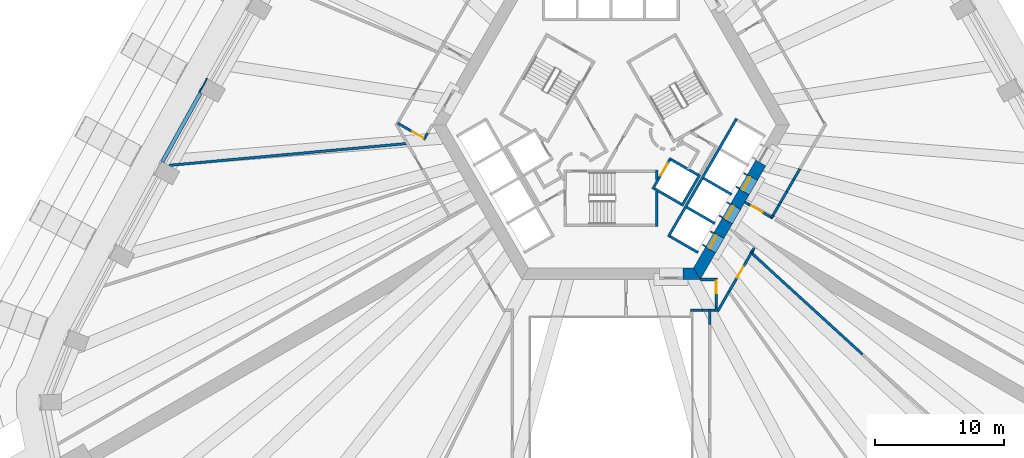
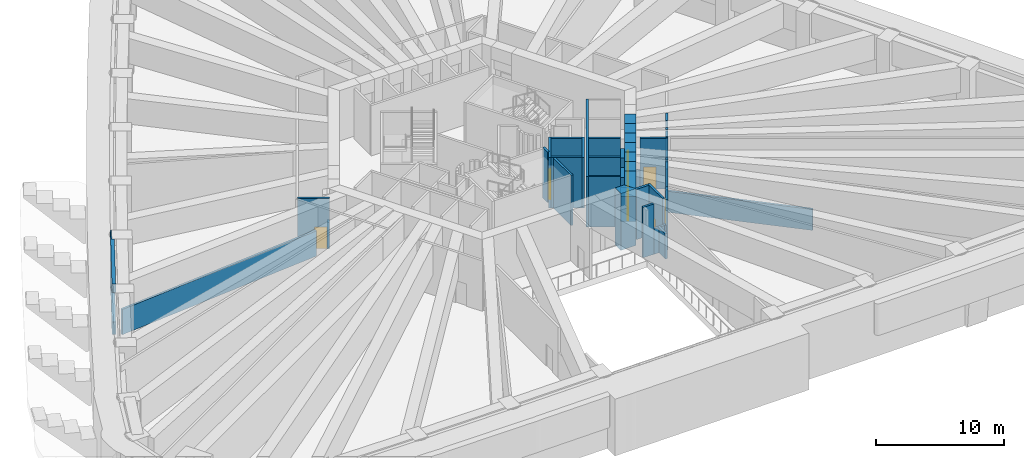
# One storey, part 6 of 21: 47 walls, 8 doors, 8 openings.
"""IFC4 building model written with IfcOpenShell, lengths in metres."""

from ifc_helpers import new_model, si_unit, direction, frame, frame_2d, origin, place, context, subcontext, project, spatial, polyline, rectangle, outline, extrude, material, layer, layer_set, type_object, element, fill, save


model = new_model("IFC4")

# Units and contexts
model_context = context("Model", 3, precision=1e-05, world=origin(), true_north=direction((0.0, 1.0)))
body_context = subcontext(model_context, "Body", "Model", "MODEL_VIEW")
ifc_project = project(units=[si_unit("LENGTHUNIT", "METRE"), si_unit("AREAUNIT", "SQUARE_METRE"), si_unit("VOLUMEUNIT", "CUBIC_METRE"), si_unit("PLANEANGLEUNIT", "RADIAN"), si_unit("MASSUNIT", "GRAM", prefix="KILO")], contexts=[model_context])

# Site, building, storey
site_placement = place(None, origin())
site = spatial("IfcSite", under=ifc_project, at=site_placement, CompositionType="ELEMENT")
building_placement = place(site_placement, origin())
building = spatial("IfcBuilding", under=site, at=building_placement, Name="Entoto Arch Interchange Tower", CompositionType="ELEMENT")
storey_placement = place(building_placement, frame((0.0, 0.0, 81.199951171875)))
storey = spatial("IfcBuildingStorey", under=building, at=storey_placement, Name="L17", CompositionType="ELEMENT", Elevation=81.199951171875)

# Walls
ifc_material_1 = material(Name="Concrete C60/75", Category="concrete")
ifc_layer_1 = layer(ifc_material_1, 0.89990234375)
ifc_layer_set_1 = layer_set([ifc_layer_1], Name="Concrete C60/75")
wall_type_1 = type_object("IfcWallType", Name="Core wall 900 C60/75", PredefinedType="SHEAR", material=ifc_layer_set_1)
wall_1_placement = place(storey_placement, frame((0.0, 0.0, -0.599853515625)))
element("IfcWall", 1, at=wall_1_placement, inside=storey, type_object=wall_type_1, Name="Core wall S L17", PredefinedType="SHEAR", context=body_context, shape_type="SweptSolid", body=[
    extrude(outline(polyline([(5.580078125, -8.60009765625), (5.580078125, -9.5), (6.927978515625, -9.5), (6.408935546875, -8.60009765625), (5.580078125, -8.60009765625)])), origin(), (0.0, 0.0, 1.0), 5.39990234375),
])
wall_2_placement = place(storey_placement, frame((0.0, 0.0, -0.599853515625)))
element("IfcWall", 2, at=wall_2_placement, inside=storey, type_object=wall_type_1, Name="Core wall SE L17", PredefinedType="SHEAR", context=body_context, shape_type="SweptSolid", body=[
    extrude(outline(polyline([(8.116943359375, -7.43994140625), (7.337890625, -6.989990234375), (6.408935546875, -8.60009765625), (6.927978515625, -9.5), (8.116943359375, -7.43994140625)])), origin(), (0.0, 0.0, 1.0), 5.39990234375),
])
wall_3_placement = place(storey_placement, frame((0.0, 0.0, -0.599853515625)))
element("IfcWall", 3, at=wall_3_placement, inside=storey, type_object=wall_type_1, Name="Core wall SE L17", PredefinedType="SHEAR", context=body_context, shape_type="SweptSolid", body=[
    extrude(outline(polyline([(9.4169921875, -5.18896484375), (8.637939453125, -4.739013671875), (7.988037109375, -5.864013671875), (8.76708984375, -6.31396484375), (9.4169921875, -5.18896484375)])), origin(), (0.0, 0.0, 1.0), 5.39990234375),
])
wall_4_placement = place(storey_placement, frame((0.0, 0.0, -0.599853515625)))
element("IfcWall", 4, at=wall_4_placement, inside=storey, type_object=wall_type_1, Name="Core wall SE L17", PredefinedType="SHEAR", context=body_context, shape_type="SweptSolid", body=[
    extrude(outline(polyline([(10.717041015625, -2.93701171875), (9.93798828125, -2.487060546875), (9.2880859375, -3.613037109375), (10.06689453125, -4.06298828125), (10.717041015625, -2.93701171875)])), origin(), (0.0, 0.0, 1.0), 5.39990234375),
])
wall_5_placement = place(storey_placement, frame((0.0, 0.0, -0.599853515625)))
element("IfcWall", 5, at=wall_5_placement, inside=storey, type_object=wall_type_1, Name="Core wall SE L17", PredefinedType="SHEAR", context=body_context, shape_type="SweptSolid", body=[
    extrude(outline(polyline([(12.01708984375, -0.68603515625), (11.238037109375, -0.236083984375), (10.587890625, -1.361083984375), (11.366943359375, -1.81103515625), (12.01708984375, -0.68603515625)])), origin(), (0.0, 0.0, 1.0), 5.39990234375),
])
wall_6_placement = place(storey_placement, frame((0.0, 0.0, 3.60009765625)))
element("IfcWall", 6, at=wall_6_placement, inside=storey, type_object=wall_type_1, Name="Core wall lintel SE L17", PredefinedType="SHEAR", context=body_context, shape_type="SweptSolid", body=[
    extrude(outline(polyline([(8.76708984375, -6.31396484375), (7.988037109375, -5.864013671875), (7.337890625, -6.989990234375), (8.116943359375, -7.43994140625), (8.76708984375, -6.31396484375)])), origin(), (0.0, 0.0, 1.0), 1.199951171875),
])
wall_7_placement = place(storey_placement, frame((0.0, 0.0, 3.60009765625)))
element("IfcWall", 7, at=wall_7_placement, inside=storey, type_object=wall_type_1, Name="Core wall lintel SE L17", PredefinedType="SHEAR", context=body_context, shape_type="SweptSolid", body=[
    extrude(outline(polyline([(10.06689453125, -4.06298828125), (9.2880859375, -3.613037109375), (8.637939453125, -4.739013671875), (9.4169921875, -5.18896484375), (10.06689453125, -4.06298828125)])), origin(), (0.0, 0.0, 1.0), 1.199951171875),
])
wall_8_placement = place(storey_placement, frame((0.0, 0.0, 3.60009765625)))
element("IfcWall", 8, at=wall_8_placement, inside=storey, type_object=wall_type_1, Name="Core wall lintel SE L17", PredefinedType="SHEAR", context=body_context, shape_type="SweptSolid", body=[
    extrude(outline(polyline([(11.366943359375, -1.81103515625), (10.587890625, -1.361083984375), (9.93798828125, -2.487060546875), (10.717041015625, -2.93701171875), (11.366943359375, -1.81103515625)])), origin(), (0.0, 0.0, 1.0), 1.199951171875),
])

# Wall, opening, door
ifc_material_2 = material(Name="Concrete C40/50", Category="concrete")
ifc_layer_2 = layer(ifc_material_2, 1.199951171875)
ifc_layer_set_2 = layer_set([ifc_layer_2], Name="Concrete C40/50")
wall_type_2 = type_object("IfcWallType", Name="LIFT LANDING INFILL WALL", PredefinedType="STANDARD", material=ifc_layer_set_2)
wall_9_placement = place(storey_placement, frame((7.597900390625, -7.139892578125, 0.0), z_axis=(0.0, 0.0, 1.0), x_axis=(0.500362116554, 0.865816234728, 0.0)))
wall_9 = element("IfcWall", 9, at=wall_9_placement, inside=storey, type_object=wall_type_2, Name="Lift landing infill wall LR5 L17", PredefinedType="STANDARD", context=body_context, shape_type="SweptSolid", body=[
    extrude(rectangle(XDim=1.29931640625, YDim=1.199951171875, at=frame_2d((0.649658203125, 0.0))), origin(), (0.0, 0.0, 1.0), 2.400146484375),
])
opening_1_placement = place(wall_9_placement, frame((0.10009765625, 0.0, 0.0)))
opening_1 = element("IfcOpeningElement", 10, at=opening_1_placement, cuts=wall_9, Name="Opening LD-LR5-L17", PredefinedType="OPENING", context=body_context, shape_type="SweptSolid", body=[
    extrude(rectangle(XDim=1.10009765625, YDim=2.300048828125, at=frame_2d((0.550048828125, 1.14990234375))), frame((0.0, 0.60986328125, 0.0), z_axis=(0.0, -1.0, 0.0), x_axis=(1.0, 0.0, 0.0)), (0.0, 0.0, 1.0), 1.219970703125),
])
ifc_material_3 = material(Name="Stainless steel 1.4301 panels", Category="steel")
door_type_1 = type_object("IfcDoorType", Name="LIFT LANDING DOOR LD2 1100x2300", OperationType="SLIDING_TO_LEFT", PredefinedType="DOOR", material=ifc_material_3)
door_1_placement = place(opening_1_placement, origin())
door_1 = element("IfcDoor", 11, at=door_1_placement, inside=storey, type_object=door_type_1, Name="Lift landing door LR5 L17", OperationType="SLIDING_TO_LEFT", OverallHeight=2.300048828125, OverallWidth=1.10009765625, PredefinedType="DOOR", context=body_context, shape_type="SweptSolid", body=[
    extrude(rectangle(XDim=1.10009765625, YDim=2.300048828125, at=frame_2d((0.550048828125, 1.14990234375))), frame((0.0, 0.02490234375, 0.0), z_axis=(0.0, -1.0, 0.0), x_axis=(1.0, 0.0, 0.0)), (0.0, 0.0, 1.0), 0.050048828125),
])
fill(opening_1, door_1)

wall_10_placement = place(storey_placement, frame((8.89794921875, -4.888916015625, 0.0), z_axis=(0.0, 0.0, 1.0), x_axis=(0.500036693733, 0.866004217611, 0.0)))
wall_10 = element("IfcWall", 12, at=wall_10_placement, inside=storey, type_object=wall_type_2, Name="Lift landing infill wall LR6 L17", PredefinedType="STANDARD", context=body_context, shape_type="SweptSolid", body=[
    extrude(rectangle(XDim=1.30029296875, YDim=1.199951171875, at=frame_2d((0.650146484375, 0.0))), origin(), (0.0, 0.0, 1.0), 2.400146484375),
])
opening_2_placement = place(wall_10_placement, frame((0.10009765625, 0.0, 0.0)))
opening_2 = element("IfcOpeningElement", 13, at=opening_2_placement, cuts=wall_10, Name="Opening LD-LR6-L17", PredefinedType="OPENING", context=body_context, shape_type="SweptSolid", body=[
    extrude(rectangle(XDim=1.10009765625, YDim=2.300048828125, at=frame_2d((0.550048828125, 1.14990234375))), frame((0.0, 0.60986328125, 0.0), z_axis=(0.0, -1.0, 0.0), x_axis=(1.0, 0.0, 0.0)), (0.0, 0.0, 1.0), 1.219970703125),
])
door_2_placement = place(opening_2_placement, origin())
door_2 = element("IfcDoor", 14, at=door_2_placement, inside=storey, type_object=door_type_1, Name="Lift landing door LR6 L17", OperationType="SLIDING_TO_LEFT", OverallHeight=2.300048828125, OverallWidth=1.10009765625, PredefinedType="DOOR", context=body_context, shape_type="SweptSolid", body=[
    extrude(rectangle(XDim=1.10009765625, YDim=2.300048828125, at=frame_2d((0.550048828125, 1.14990234375))), frame((0.0, 0.02490234375, 0.0), z_axis=(0.0, -1.0, 0.0), x_axis=(1.0, 0.0, 0.0)), (0.0, 0.0, 1.0), 0.050048828125),
])
fill(opening_2, door_2)

wall_11_placement = place(storey_placement, frame((10.197998046875, -2.636962890625, 0.0), z_axis=(0.0, 0.0, 1.0), x_axis=(0.49989585183, 0.866085525409, 0.0)))
wall_11 = element("IfcWall", 15, at=wall_11_placement, inside=storey, type_object=wall_type_2, Name="Lift landing infill wall LR7 L17", PredefinedType="STANDARD", context=body_context, shape_type="SweptSolid", body=[
    extrude(rectangle(XDim=1.300048828125, YDim=1.199951171875, at=frame_2d((0.64990234375, 0.0))), origin(), (0.0, 0.0, 1.0), 2.400146484375),
])
opening_3_placement = place(wall_11_placement, frame((0.10009765625, 0.0, 0.0)))
opening_3 = element("IfcOpeningElement", 16, at=opening_3_placement, cuts=wall_11, Name="Opening LD-LR7-L17", PredefinedType="OPENING", context=body_context, shape_type="SweptSolid", body=[
    extrude(rectangle(XDim=1.10009765625, YDim=2.300048828125, at=frame_2d((0.550048828125, 1.14990234375))), frame((0.0, 0.60986328125, 0.0), z_axis=(0.0, -1.0, 0.0), x_axis=(1.0, 0.0, 0.0)), (0.0, 0.0, 1.0), 1.219970703125),
])
door_3_placement = place(opening_3_placement, origin())
door_3 = element("IfcDoor", 17, at=door_3_placement, inside=storey, type_object=door_type_1, Name="Lift landing door LR7 L17", OperationType="SLIDING_TO_LEFT", OverallHeight=2.300048828125, OverallWidth=1.10009765625, PredefinedType="DOOR", context=body_context, shape_type="SweptSolid", body=[
    extrude(rectangle(XDim=1.10009765625, YDim=2.300048828125, at=frame_2d((0.550048828125, 1.14990234375))), frame((0.0, 0.02490234375, 0.0), z_axis=(0.0, -1.0, 0.0), x_axis=(1.0, 0.0, 0.0)), (0.0, 0.0, 1.0), 0.050048828125),
])
fill(opening_3, door_3)

ifc_layer_3 = layer(ifc_material_2, 0.199951171875)
ifc_layer_set_3 = layer_set([ifc_layer_3], Name="Concrete C40/50")
wall_type_3 = type_object("IfcWallType", Name="LIFT SHAFT WALL 200", PredefinedType="STANDARD", material=ifc_layer_set_3)
wall_12_placement = place(storey_placement, frame((3.239990234375, -2.488037109375, 0.0), z_axis=(0.0, 0.0, 1.0), x_axis=(0.49994636267, 0.866056369097, 0.0)))
wall_12 = element("IfcWall", 18, at=wall_12_placement, inside=storey, type_object=wall_type_3, Name="Shaft wall SE1 front", PredefinedType="STANDARD", context=body_context, shape_type="SweptSolid", body=[
    extrude(rectangle(XDim=2.800048828125, YDim=0.199951171875, at=frame_2d((1.39990234375, 0.0))), origin(), (0.0, 0.0, 1.0), 4.800048828125),
])
opening_4_placement = place(wall_12_placement, frame((1.22509765625, 0.0, 0.0)))
opening_4 = element("IfcOpeningElement", 19, at=opening_4_placement, cuts=wall_12, Name="Opening LD-FF1-L17", PredefinedType="OPENING", context=body_context, shape_type="SweptSolid", body=[
    extrude(rectangle(XDim=1.10009765625, YDim=2.10009765625, at=frame_2d((0.550048828125, 1.050048828125))), frame((0.0, 0.10986328125, 0.0), z_axis=(0.0, -1.0, 0.0), x_axis=(1.0, 0.0, 0.0)), (0.0, 0.0, 1.0), 0.219970703125),
])
door_type_2 = type_object("IfcDoorType", Name="LIFT LANDING DOOR LD1 1100x2100", OperationType="SLIDING_TO_LEFT", PredefinedType="DOOR", material=ifc_material_3)
door_4_placement = place(opening_4_placement, origin())
door_4 = element("IfcDoor", 20, at=door_4_placement, inside=storey, type_object=door_type_2, Name="Lift landing door FF1 L17", OperationType="SLIDING_TO_LEFT", OverallHeight=2.10009765625, OverallWidth=1.10009765625, PredefinedType="DOOR", context=body_context, shape_type="SweptSolid", body=[
    extrude(rectangle(XDim=1.10009765625, YDim=2.10009765625, at=frame_2d((0.550048828125, 1.050048828125))), frame((0.0, 0.02490234375, 0.0), z_axis=(0.0, -1.0, 0.0), x_axis=(1.0, 0.0, 0.0)), (0.0, 0.0, 1.0), 0.050048828125),
])
fill(opening_4, door_4)

# Walls
wall_13_placement = place(storey_placement, frame((5.491943359375, -3.7880859375, 0.0), z_axis=(0.0, 0.0, 1.0), x_axis=(0.500011755427, 0.866018616679, 0.0)))
element("IfcWall", 21, at=wall_13_placement, inside=storey, type_object=wall_type_3, Name="Shaft wall SE1 back", PredefinedType="STANDARD", context=body_context, shape_type="SweptSolid", body=[
    extrude(rectangle(XDim=2.80029296875, YDim=0.199951171875, at=frame_2d((1.400146484375, 0.0))), origin(), (0.0, 0.0, 1.0), 4.800048828125),
])
wall_14_placement = place(storey_placement, frame((3.376953125, -2.451904296875, 0.0), z_axis=(0.0, 0.0, 1.0), x_axis=(0.865955154139, -0.50012165622, 0.0)))
element("IfcWall", 22, at=wall_14_placement, inside=storey, type_object=wall_type_3, Name="Shaft wall SE1 cross 1", PredefinedType="STANDARD", context=body_context, shape_type="SweptSolid", body=[
    extrude(rectangle(XDim=2.39990234375, YDim=0.199951171875, at=frame_2d((1.199951171875, 0.0))), origin(), (0.0, 0.0, 1.0), 4.800048828125),
])
wall_15_placement = place(storey_placement, frame((4.677001953125, -0.199951171875, 0.0), z_axis=(0.0, 0.0, 1.0), x_axis=(0.865973769406, -0.500089422704, 0.0)))
element("IfcWall", 23, at=wall_15_placement, inside=storey, type_object=wall_type_3, Name="Shaft wall SE1 cross 2", PredefinedType="STANDARD", context=body_context, shape_type="SweptSolid", body=[
    extrude(rectangle(XDim=2.3994140625, YDim=0.199951171875, at=frame_2d((1.19970703125, 0.0))), origin(), (0.0, 0.0, 1.0), 4.800048828125),
])
wall_16_placement = place(storey_placement, frame((4.450927734375, -6.18994140625, 0.0), z_axis=(0.0, 0.0, 1.0), x_axis=(0.50000090737, 0.866024879913, 0.0)))
element("IfcWall", 24, at=wall_16_placement, inside=storey, type_object=wall_type_3, Name="Shaft wall SE3 front", PredefinedType="STANDARD", context=body_context, shape_type="SweptSolid", body=[
    extrude(rectangle(XDim=10.60009765625, YDim=0.199951171875, at=frame_2d((5.300048828125, 0.0))), origin(), (0.0, 0.0, 1.0), 4.800048828125),
])
for number, where, z_axis, x_axis, name in (
    (25, (4.587890625, -6.153076171875, 0.0), (0.0, 0.0, 1.0), (0.866022959057, -0.500004234368, 0.0), "Shaft wall SE3 cross 1"),
    (26, (5.887939453125, -3.902099609375, 0.0), (0.0, 0.0, 1.0), (0.866022959057, -0.500004234368, 0.0), "Shaft wall SE3 cross 2"),
    (27, (7.18798828125, -1.64990234375, 0.0), (0.0, 0.0, 1.0), (0.866022959057, -0.500004234368, 0.0), "Shaft wall SE3 cross 3"),
):
    element("IfcWall", number, at=place(storey_placement, frame(where, z_axis=z_axis, x_axis=x_axis)), inside=storey, type_object=wall_type_3, Name=name, PredefinedType="STANDARD", context=body_context, shape_type="SweptSolid", body=[
        extrude(rectangle(XDim=2.5, YDim=0.199951171875, at=frame_2d((1.25, 0.0))), origin(), (0.0, 0.0, 1.0), 4.800048828125),
    ])
ifc_material_4 = material(Name="Gypsum board partition on steel studs", Category="steel")
ifc_layer_4 = layer(ifc_material_4, 0.199951171875)
ifc_layer_set_4 = layer_set([ifc_layer_4], Name="Gypsum board partition on steel studs")
wall_type_4 = type_object("IfcWallType", Name="PARTITION 200", PredefinedType="PARTITIONING", material=ifc_layer_set_4)
wall_17_placement = place(storey_placement, frame((7.550048828125, -11.89990234375, 0.0), z_axis=(0.0, 0.0, 1.0), x_axis=(-1.0, 0.0, 0.0)))
element("IfcWall", 28, at=wall_17_placement, inside=storey, type_object=wall_type_4, Name="wall:L17:p029", PredefinedType="PARTITIONING", context=body_context, shape_type="SweptSolid", body=[
    extrude(rectangle(XDim=0.43994140625, YDim=0.199951171875, at=frame_2d((0.219970703125, 0.0))), origin(), (0.0, 0.0, 1.0), 2.400146484375),
])
wall_18_placement = place(storey_placement, frame((6.927978515625, -9.5, 0.0), z_axis=(0.0, 0.0, 1.0), x_axis=(1.0, 0.0, 0.0)))
element("IfcWall", 29, at=wall_18_placement, inside=storey, type_object=wall_type_4, Name="wall:L17:p031", PredefinedType="PARTITIONING", context=body_context, shape_type="SweptSolid", body=[
    extrude(rectangle(XDim=1.136962890625, YDim=0.199951171875, at=frame_2d((0.568359375, 0.0))), origin(), (0.0, 0.0, 1.0), 4.800048828125),
])

# Wall, opening, door
wall_19_placement = place(storey_placement, frame((8.1650390625, -9.39990234375, 0.0), z_axis=(0.0, 0.0, 1.0), x_axis=(0.0, -1.0, 0.0)))
wall_19 = element("IfcWall", 30, at=wall_19_placement, inside=storey, type_object=wall_type_4, Name="wall:L17:p032", PredefinedType="PARTITIONING", context=body_context, shape_type="SweptSolid", body=[
    extrude(rectangle(XDim=2.278076171875, YDim=0.199951171875, at=frame_2d((1.13916015625, 0.0))), origin(), (0.0, 0.0, 1.0), 4.800048828125),
])
opening_5_placement = place(wall_19_placement, frame((0.18408203125, 0.0, 0.0)))
opening_5 = element("IfcOpeningElement", 31, at=opening_5_placement, cuts=wall_19, Name="Opening L17-D02", PredefinedType="OPENING", context=body_context, shape_type="SweptSolid", body=[
    extrude(rectangle(XDim=1.0, YDim=2.10009765625, at=frame_2d((0.5, 1.050048828125))), frame((0.0, 0.10986328125, 0.0), z_axis=(0.0, -1.0, 0.0), x_axis=(1.0, 0.0, 0.0)), (0.0, 0.0, 1.0), 0.219970703125),
])
ifc_material_5 = material(Name="Fire-rated Steel S235 door and frame", Category="steel")
door_type_3 = type_object("IfcDoorType", Name="DOOR FD-10 1000x2100", OperationType="SINGLE_SWING_LEFT", PredefinedType="DOOR", material=ifc_material_5)
door_5_placement = place(opening_5_placement, origin())
door_5 = element("IfcDoor", 32, at=door_5_placement, inside=storey, type_object=door_type_3, Name="door:L17:02", OperationType="SINGLE_SWING_RIGHT", OverallHeight=2.10009765625, OverallWidth=1.0, PredefinedType="DOOR", context=body_context, shape_type="SweptSolid", body=[
    extrude(rectangle(XDim=1.0, YDim=2.10009765625, at=frame_2d((0.5, 1.050048828125))), frame((0.0, 0.02490234375, 0.0), z_axis=(0.0, -1.0, 0.0), x_axis=(1.0, 0.0, 0.0)), (0.0, 0.0, 1.0), 0.050048828125),
])
fill(opening_5, door_5)

# Walls
wall_20_placement = place(storey_placement, frame((8.06494140625, -11.89990234375, 0.0), z_axis=(0.0, 0.0, 1.0), x_axis=(-1.0, 0.0, 0.0)))
element("IfcWall", 33, at=wall_20_placement, inside=storey, type_object=wall_type_4, Name="wall:L17:p033", PredefinedType="PARTITIONING", context=body_context, shape_type="SweptSolid", body=[
    extrude(rectangle(XDim=0.31494140625, YDim=0.199951171875, at=frame_2d((0.157470703125, 0.0))), origin(), (0.0, 0.0, 1.0), 2.400146484375),
])
wall_21_placement = place(storey_placement, frame((7.64990234375, -11.800048828125, 0.0), z_axis=(0.0, 0.0, 1.0), x_axis=(0.0, -1.0, 0.0)))
element("IfcWall", 34, at=wall_21_placement, inside=storey, type_object=wall_type_4, Name="wall:L17:p034", PredefinedType="PARTITIONING", context=body_context, shape_type="SweptSolid", body=[
    extrude(rectangle(XDim=1.200927734375, YDim=0.199951171875, at=frame_2d((0.6005859375, 0.0))), origin(), (0.0, 0.0, 1.0), 2.400146484375),
])
wall_22_placement = place(storey_placement, frame((9.14990234375, -10.450927734375, 0.0), z_axis=(0.0, 0.0, 1.0), x_axis=(-0.499619156193, -0.866245172434, 0.0)))
element("IfcWall", 35, at=wall_22_placement, inside=storey, type_object=wall_type_4, Name="wall:L17:p039", PredefinedType="PARTITIONING", context=body_context, shape_type="SweptSolid", body=[
    extrude(rectangle(XDim=1.7734375, YDim=0.199951171875, at=frame_2d((0.88671875, 0.0))), origin(), (0.0, 0.0, 1.0), 4.800048828125),
])

# Wall, opening, door
wall_23_placement = place(storey_placement, frame((10.889892578125, -7.43701171875, 0.0), z_axis=(0.0, 0.0, 1.0), x_axis=(-0.499979528911, -0.866037222451, 0.0)))
wall_23 = element("IfcWall", 36, at=wall_23_placement, inside=storey, type_object=wall_type_4, Name="wall:L17:p040", PredefinedType="PARTITIONING", context=body_context, shape_type="SweptSolid", body=[
    extrude(rectangle(XDim=3.480224609375, YDim=0.199951171875, at=frame_2d((1.740234375, 0.0))), origin(), (0.0, 0.0, 1.0), 4.800048828125),
])
opening_6_placement = place(wall_23_placement, frame((1.201904296875, 0.0, 0.0)))
opening_6 = element("IfcOpeningElement", 37, at=opening_6_placement, cuts=wall_23, Name="Opening L17-D05", PredefinedType="OPENING", context=body_context, shape_type="SweptSolid", body=[
    extrude(rectangle(XDim=1.0, YDim=2.10009765625, at=frame_2d((0.5, 1.050048828125))), frame((0.0, 0.10986328125, 0.0), z_axis=(0.0, -1.0, 0.0), x_axis=(1.0, 0.0, 0.0)), (0.0, 0.0, 1.0), 0.219970703125),
])
door_6_placement = place(opening_6_placement, origin())
door_6 = element("IfcDoor", 38, at=door_6_placement, inside=storey, type_object=door_type_3, Name="door:L17:05", OperationType="SINGLE_SWING_LEFT", OverallHeight=2.10009765625, OverallWidth=1.0, PredefinedType="DOOR", context=body_context, shape_type="SweptSolid", body=[
    extrude(rectangle(XDim=1.0, YDim=2.10009765625, at=frame_2d((0.5, 1.050048828125))), frame((0.0, 0.02490234375, 0.0), z_axis=(0.0, -1.0, 0.0), x_axis=(1.0, 0.0, 0.0)), (0.0, 0.0, 1.0), 0.050048828125),
])
fill(opening_6, door_6)

# Walls
wall_24_placement = place(storey_placement, frame((11.113037109375, -7.051025390625, 0.0), z_axis=(0.0, 0.0, 1.0), x_axis=(-0.500262741071, -0.865873657005, 0.0)))
element("IfcWall", 39, at=wall_24_placement, inside=storey, type_object=wall_type_4, Name="wall:L17:p041", PredefinedType="PARTITIONING", context=body_context, shape_type="SweptSolid", body=[
    extrude(rectangle(XDim=0.273681640625, YDim=0.199951171875, at=frame_2d((0.13671875, 0.0))), origin(), (0.0, 0.0, 1.0), 4.800048828125),
])
wall_25_placement = place(storey_placement, frame((10.81591796875, -7.3701171875, 0.0), z_axis=(0.0, 0.0, 1.0), x_axis=(0.738759145077, -0.673969528662, 0.0)))
element("IfcWall", 40, at=wall_25_placement, inside=storey, type_object=wall_type_4, Name="wall:L17:p046", PredefinedType="PARTITIONING", context=body_context, shape_type="SweptSolid", body=[
    extrude(rectangle(XDim=11.779296875, YDim=0.199951171875, at=frame_2d((5.8896484375, 0.0))), origin(), (0.0, 0.0, 1.0), 2.0),
])
wall_26_placement = place(storey_placement, frame((10.39208984375, -3.5, 0.0), z_axis=(0.0, 0.0, 1.0), x_axis=(0.865244904171, -0.501349434832, 0.0)))
element("IfcWall", 41, at=wall_26_placement, inside=storey, type_object=wall_type_4, Name="wall:L17:p047", PredefinedType="PARTITIONING", context=body_context, shape_type="SweptSolid", body=[
    extrude(rectangle(XDim=0.307373046875, YDim=0.199951171875, at=frame_2d((0.15380859375, 0.0))), origin(), (0.0, 0.0, 1.0), 1.699951171875),
])

# Wall, opening, door
wall_27_placement = place(storey_placement, frame((-14.387939453125, 1.37890625, 0.0), z_axis=(0.0, 0.0, 1.0), x_axis=(-0.866022959057, 0.500004234368, 0.0)))
wall_27 = element("IfcWall", 42, at=wall_27_placement, inside=storey, type_object=wall_type_4, Name="wall:L17:p064", PredefinedType="PARTITIONING", context=body_context, shape_type="SweptSolid", body=[
    extrude(rectangle(XDim=2.5, YDim=0.199951171875, at=frame_2d((1.25, 0.0))), origin(), (0.0, 0.0, 1.0), 4.800048828125),
])
opening_7_placement = place(wall_27_placement, frame((0.16796875, 0.0, 0.0)))
opening_7 = element("IfcOpeningElement", 43, at=opening_7_placement, cuts=wall_27, Name="Opening L17-D13", PredefinedType="OPENING", context=body_context, shape_type="SweptSolid", body=[
    extrude(rectangle(XDim=1.0, YDim=2.10009765625, at=frame_2d((0.5, 1.050048828125))), frame((0.0, 0.10986328125, 0.0), z_axis=(0.0, -1.0, 0.0), x_axis=(1.0, 0.0, 0.0)), (0.0, 0.0, 1.0), 0.219970703125),
])
door_7_placement = place(opening_7_placement, origin())
door_7 = element("IfcDoor", 44, at=door_7_placement, inside=storey, type_object=door_type_3, Name="door:L17:13", OperationType="SINGLE_SWING_LEFT", OverallHeight=2.10009765625, OverallWidth=1.0, PredefinedType="DOOR", context=body_context, shape_type="SweptSolid", body=[
    extrude(rectangle(XDim=1.0, YDim=2.10009765625, at=frame_2d((0.5, 1.050048828125))), frame((0.0, 0.02490234375, 0.0), z_axis=(0.0, -1.0, 0.0), x_axis=(1.0, 0.0, 0.0)), (0.0, 0.0, 1.0), 0.050048828125),
])
fill(opening_7, door_7)

# Walls
wall_28_placement = place(storey_placement, frame((-15.791015625, 1.051025390625, 0.0), z_axis=(0.0, 0.0, 1.0), x_axis=(-0.99580964223, -0.091450294928, 0.0)))
element("IfcWall", 45, at=wall_28_placement, inside=storey, type_object=wall_type_4, Name="wall:L17:p070", PredefinedType="PARTITIONING", context=body_context, shape_type="SweptSolid", body=[
    extrude(rectangle(XDim=18.556884765625, YDim=0.199951171875, at=frame_2d((9.2783203125, 0.0))), origin(), (0.0, 0.0, 1.0), 2.400146484375),
])
wall_29_placement = place(storey_placement, frame((7.110107421875, -11.89990234375, 0.0), z_axis=(0.0, 0.0, 1.0), x_axis=(-1.0, 0.0, 0.0)))
element("IfcWall", 46, at=wall_29_placement, inside=storey, type_object=wall_type_4, Name="wall:L17:p029", PredefinedType="PARTITIONING", context=body_context, shape_type="SweptSolid", body=[
    extrude(rectangle(XDim=0.959228515625, YDim=0.199951171875, at=frame_2d((0.4794921875, 0.0))), origin(), (0.0, 0.0, 1.0), 4.800048828125),
])
wall_30_placement = place(storey_placement, frame((8.1650390625, -11.677978515625, 0.0), z_axis=(0.0, 0.0, 1.0), x_axis=(0.0, -1.0, 0.0)))
element("IfcWall", 47, at=wall_30_placement, inside=storey, type_object=wall_type_4, Name="wall:L17:p032", PredefinedType="PARTITIONING", context=body_context, shape_type="SweptSolid", body=[
    extrude(rectangle(XDim=0.322021484375, YDim=0.199951171875, at=frame_2d((0.1611328125, 0.0))), origin(), (0.0, 0.0, 1.0), 2.400146484375),
])
wall_31_placement = place(storey_placement, frame((10.97607421875, -7.2880859375, 0.0), z_axis=(0.0, 0.0, 1.0), x_axis=(-0.50243530011, -0.86461480973, 0.0)))
element("IfcWall", 48, at=wall_31_placement, inside=storey, type_object=wall_type_4, Name="wall:L17:p041", PredefinedType="PARTITIONING", context=body_context, shape_type="SweptSolid", body=[
    extrude(rectangle(XDim=0.137451171875, YDim=0.199951171875, at=frame_2d((0.06884765625, 0.0))), origin(), (0.0, 0.0, 1.0), 2.0),
])

# Wall, opening, door
wall_32_placement = place(storey_placement, frame((10.657958984375, -3.654052734375, 0.0), z_axis=(0.0, 0.0, 1.0), x_axis=(0.866074224396, -0.499915430684, 0.0)))
wall_32 = element("IfcWall", 49, at=wall_32_placement, inside=storey, type_object=wall_type_4, Name="wall:L17:p047", PredefinedType="PARTITIONING", context=body_context, shape_type="SweptSolid", body=[
    extrude(rectangle(XDim=2.1904296875, YDim=0.199951171875, at=frame_2d((1.09521484375, 0.0))), origin(), (0.0, 0.0, 1.0), 4.800048828125),
])
opening_8_placement = place(wall_32_placement, frame((0.27197265625, 0.0, 0.0)))
opening_8 = element("IfcOpeningElement", 50, at=opening_8_placement, cuts=wall_32, Name="Opening L17-D19", PredefinedType="OPENING", context=body_context, shape_type="SweptSolid", body=[
    extrude(rectangle(XDim=1.0, YDim=2.10009765625, at=frame_2d((0.5, 1.050048828125))), frame((0.0, 0.10986328125, 0.0), z_axis=(0.0, -1.0, 0.0), x_axis=(1.0, 0.0, 0.0)), (0.0, 0.0, 1.0), 0.219970703125),
])
ifc_material_6 = material(Name="Timber door leaf in Steel S235 frame", Category="steel")
door_type_4 = type_object("IfcDoorType", Name="DOOR DS-10 1000x2100", OperationType="SINGLE_SWING_LEFT", PredefinedType="DOOR", material=ifc_material_6)
door_8_placement = place(opening_8_placement, origin())
door_8 = element("IfcDoor", 51, at=door_8_placement, inside=storey, type_object=door_type_4, Name="door:L17:19", OperationType="SINGLE_SWING_LEFT", OverallHeight=2.10009765625, OverallWidth=1.0, PredefinedType="DOOR", context=body_context, shape_type="SweptSolid", body=[
    extrude(rectangle(XDim=1.0, YDim=2.10009765625, at=frame_2d((0.5, 1.050048828125))), frame((0.0, 0.02490234375, 0.0), z_axis=(0.0, -1.0, 0.0), x_axis=(1.0, 0.0, 0.0)), (0.0, 0.0, 1.0), 0.050048828125),
])
fill(opening_8, door_8)

# Walls
wall_33_placement = place(storey_placement, frame((14.654052734375, -0.9189453125, 0.0), z_axis=(0.0, 0.0, 1.0), x_axis=(-0.500508752595, -0.865731476023, 0.0)))
element("IfcWall", 52, at=wall_33_placement, inside=storey, type_object=wall_type_4, Name="wall:L17:p054", PredefinedType="PARTITIONING", context=body_context, shape_type="SweptSolid", body=[
    extrude(rectangle(XDim=0.9853515625, YDim=0.199951171875, at=frame_2d((0.49267578125, 0.0))), origin(), (0.0, 0.0, 1.0), 2.400146484375),
])
wall_34_placement = place(storey_placement, frame((14.160888671875, -1.77197265625, 0.0), z_axis=(0.0, 0.0, 1.0), x_axis=(-0.49945675742, -0.866338817939, 0.0)))
element("IfcWall", 53, at=wall_34_placement, inside=storey, type_object=wall_type_4, Name="wall:L17:p054", PredefinedType="PARTITIONING", context=body_context, shape_type="SweptSolid", body=[
    extrude(rectangle(XDim=1.060791015625, YDim=0.199951171875, at=frame_2d((0.5302734375, 0.0))), origin(), (0.0, 0.0, 1.0), 4.800048828125),
])
wall_35_placement = place(storey_placement, frame((13.631103515625, -2.69091796875, 0.0), z_axis=(0.0, 0.0, 1.0), x_axis=(-0.500386541745, -0.865802118755, 0.0)))
element("IfcWall", 54, at=wall_35_placement, inside=storey, type_object=wall_type_4, Name="wall:L17:p054", PredefinedType="PARTITIONING", context=body_context, shape_type="SweptSolid", body=[
    extrude(rectangle(XDim=0.933349609375, YDim=0.199951171875, at=frame_2d((0.466796875, 0.0))), origin(), (0.0, 0.0, 1.0), 2.0),
])
wall_36_placement = place(storey_placement, frame((13.1640625, -3.4990234375, 0.0), z_axis=(0.0, 0.0, 1.0), x_axis=(-0.499234024602, -0.866467188461, 0.0)))
element("IfcWall", 55, at=wall_36_placement, inside=storey, type_object=wall_type_4, Name="wall:L17:p054", PredefinedType="PARTITIONING", context=body_context, shape_type="SweptSolid", body=[
    extrude(rectangle(XDim=0.28857421875, YDim=0.199951171875, at=frame_2d((0.144287109375, 0.0))), origin(), (0.0, 0.0, 1.0), 4.800048828125),
])
wall_37_placement = place(storey_placement, frame((13.02001953125, -3.7490234375, 0.0), z_axis=(0.0, 0.0, 1.0), x_axis=(-0.500644484719, -0.865652990476, 0.0)))
element("IfcWall", 56, at=wall_37_placement, inside=storey, type_object=wall_type_4, Name="wall:L17:p054", PredefinedType="PARTITIONING", context=body_context, shape_type="SweptSolid", body=[
    extrude(rectangle(XDim=0.908935546875, YDim=0.199951171875, at=frame_2d((0.45458984375, 0.0))), origin(), (0.0, 0.0, 1.0), 1.699951171875),
])
wall_38_placement = place(storey_placement, frame((12.56494140625, -4.535888671875, 0.0), z_axis=(0.0, 0.0, 1.0), x_axis=(-0.498550056236, -0.866860912388, 0.0)))
element("IfcWall", 57, at=wall_38_placement, inside=storey, type_object=wall_type_4, Name="wall:L17:p054", PredefinedType="PARTITIONING", context=body_context, shape_type="SweptSolid", body=[
    extrude(rectangle(XDim=0.17431640625, YDim=0.199951171875, at=frame_2d((0.087158203125, 0.0))), origin(), (0.0, 0.0, 1.0), 4.800048828125),
])
wall_39_placement = place(storey_placement, frame((-14.222900390625, 1.865966796875, 0.0), z_axis=(0.0, 0.0, 1.0), x_axis=(-0.500297731093, -0.865853440406, 0.0)))
element("IfcWall", 58, at=wall_39_placement, inside=storey, type_object=wall_type_4, Name="wall:L17:p063", PredefinedType="PARTITIONING", context=body_context, shape_type="SweptSolid", body=[
    extrude(rectangle(XDim=0.404052734375, YDim=0.199951171875, at=frame_2d((0.2021484375, 0.0))), origin(), (0.0, 0.0, 1.0), 2.400146484375),
])
ifc_material_7 = material(Name="Board-marked precast concrete C50/60", Category="concrete")
ifc_layer_5 = layer(ifc_material_7, 0.10009765625)
ifc_layer_set_5 = layer_set([ifc_layer_5], Name="Board-marked precast concrete C50/60")
wall_type_5 = type_object("IfcWallType", Name="PRECAST FRAME WALL 100", PredefinedType="STANDARD", material=ifc_layer_set_5)
wall_40_placement = place(storey_placement, frame((-31.342041015625, 6.0859375, 0.0), z_axis=(0.0, 0.0, 1.0), x_axis=(-0.486817526853, -0.873503689488, 0.0)))
element("IfcWall", 59, at=wall_40_placement, inside=storey, type_object=wall_type_5, Name="Frame pier NW07 L17", PredefinedType="STANDARD", context=body_context, shape_type="SweptSolid", body=[
    extrude(rectangle(XDim=1.19970703125, YDim=0.10009765625, at=frame_2d((0.599853515625, 0.0))), origin(), (0.0, 0.0, 1.0), 4.800048828125),
])
ifc_layer_6 = layer(ifc_material_7, 0.300048828125)
ifc_layer_set_6 = layer_set([ifc_layer_6], Name="Board-marked precast concrete C50/60")
wall_type_6 = type_object("IfcWallType", Name="PRECAST FRAME WALL 300", PredefinedType="STANDARD", material=ifc_layer_set_6)
wall_41_placement = place(storey_placement, frame((-31.8369140625, 4.989013671875, 0.0), z_axis=(0.0, 0.0, 1.0), x_axis=(-0.484720058863, -0.87466934583, 0.0)))
element("IfcWall", 60, at=wall_41_placement, inside=storey, type_object=wall_type_6, Name="Frame sill wall NW-07 L17", PredefinedType="STANDARD", context=body_context, shape_type="SweptSolid", body=[
    extrude(rectangle(XDim=6.1337890625, YDim=0.300048828125, at=frame_2d((3.06689453125, 0.0))), origin(), (0.0, 0.0, 1.0), 1.199951171875),
])
wall_42_placement = place(storey_placement, frame((-31.8369140625, 4.989013671875, 4.0), z_axis=(0.0, 0.0, 1.0), x_axis=(-0.484720058863, -0.87466934583, 0.0)))
element("IfcWall", 61, at=wall_42_placement, inside=storey, type_object=wall_type_6, Name="Frame head wall NW-07 L17", PredefinedType="STANDARD", context=body_context, shape_type="SweptSolid", body=[
    extrude(rectangle(XDim=6.1337890625, YDim=0.300048828125, at=frame_2d((3.06689453125, 0.0))), origin(), (0.0, 0.0, 1.0), 0.800048828125),
])
ifc_layer_7 = layer(ifc_material_2, 0.199951171875)
ifc_layer_set_7 = layer_set([ifc_layer_7], Name="Concrete C40/50")
wall_type_7 = type_object("IfcWallType", Name="STAIR ENCLOSURE WALL 200", PredefinedType="STANDARD", material=ifc_layer_set_7)
wall_43_placement = place(storey_placement, frame((3.550048828125, -2.6669921875, 0.0), z_axis=(0.0, 0.0, 1.0), x_axis=(0.0, -1.0, 0.0)))
element("IfcWall", 62, at=wall_43_placement, inside=storey, type_object=wall_type_7, Name="Stair wall ST-S far", PredefinedType="STANDARD", context=body_context, shape_type="SweptSolid", body=[
    extrude(rectangle(XDim=2.73291015625, YDim=0.199951171875, at=frame_2d((1.366455078125, 0.0))), origin(), (0.0, 0.0, 1.0), 4.800048828125),
])
wall_44_placement = place(storey_placement, frame((3.550048828125, -1.0, 0.0), z_axis=(0.0, 0.0, 1.0), x_axis=(0.0, -1.0, 0.0)))
element("IfcWall", 63, at=wall_44_placement, inside=storey, type_object=wall_type_7, Name="Stair wall ST-S far return", PredefinedType="STANDARD", context=body_context, shape_type="SweptSolid", body=[
    extrude(rectangle(XDim=0.7509765625, YDim=0.199951171875, at=frame_2d((0.37548828125, 0.0))), origin(), (0.0, 0.0, 1.0), 4.800048828125),
])

save(model, "model.ifc")
